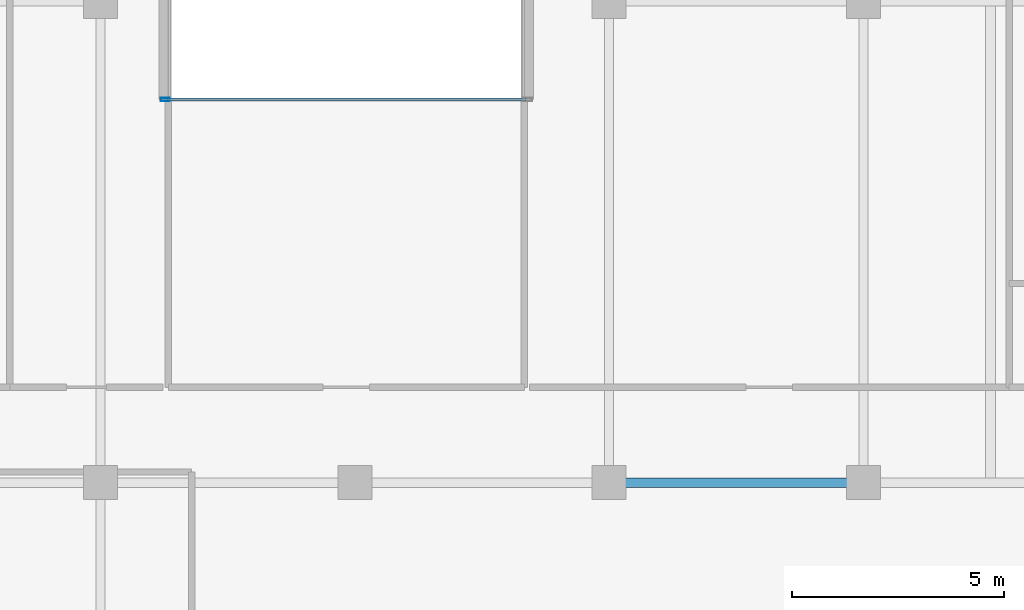
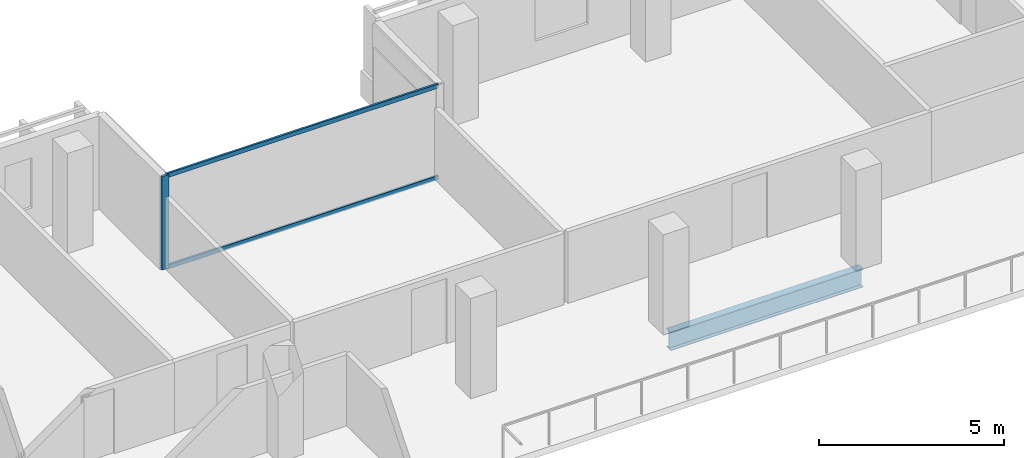
# One storey, part 6 of 22: 3 members, 1 beam, 1 element without a shape of its own.
"""IFC4 building model written with IfcOpenShell, lengths in metres."""

from ifc_helpers import new_model, si_unit, direction, frame, origin, origin_2d, place, context, subcontext, project, spatial, hollow_rectangle, i_section, extrude, material, layer, layer_set, material_profile, profile_set, type_object, element, aggregate, save


model = new_model("IFC4")

# Units and contexts
model_context = context("Model", 3, precision=1e-05, world=origin(), true_north=direction((0.0, 1.0)))
body_context = subcontext(model_context, "Body", "Model", "MODEL_VIEW")
ifc_project = project(units=[si_unit("LENGTHUNIT", "METRE"), si_unit("AREAUNIT", "SQUARE_METRE"), si_unit("VOLUMEUNIT", "CUBIC_METRE"), si_unit("PLANEANGLEUNIT", "RADIAN"), si_unit("MASSUNIT", "GRAM", prefix="KILO")], contexts=[model_context])

# Site, building, storey
site_placement = place(None, origin())
site = spatial("IfcSite", under=ifc_project, at=site_placement, CompositionType="ELEMENT")
building_placement = place(site_placement, origin())
building = spatial("IfcBuilding", under=site, at=building_placement, Name="Tanjung Sevakor Pilgrim Tower", CompositionType="ELEMENT")
storey_placement = place(building_placement, frame((0.0, 0.0, 195.030029296875)))
storey = spatial("IfcBuildingStorey", under=building, at=storey_placement, Name="L54", CompositionType="ELEMENT", Elevation=195.030029296875)

# Beam
ifc_material_1 = material(Name="Steel S355J2", Category="steel")
ifc_material_profile_1 = material_profile(ifc_material_1, i_section(OverallWidth=0.22900390625, OverallDepth=0.6123046875, WebThickness=0.011962890625, FlangeThickness=0.01953125, FilletRadius=0.0126953125, at=origin_2d()))
ifc_profile_set_1 = profile_set([ifc_material_profile_1], Name="Steel S355J2")
beam_type = type_object("IfcBeamType", Name="BM-B-G4-UB_610x229x125", PredefinedType="BEAM", material=ifc_profile_set_1)
beam_placement = place(storey_placement, frame((54.0, 42.60009765625, -0.526123046875), z_axis=(1.0, 0.0, 0.0), x_axis=(0.0, 1.0, 0.0)))
element("IfcBeam", 1, at=beam_placement, inside=storey, type_object=beam_type, Name="L54 Primary Floor Girder MAIN Y426-05", PredefinedType="BEAM", context=body_context, shape_type="SweptSolid", body=[
    extrude(i_section(OverallWidth=0.22900390625, OverallDepth=0.6123046875, WebThickness=0.011962890625, FlangeThickness=0.01953125, FilletRadius=0.0126953125, at=origin_2d()), origin(), (0.0, 0.0, 1.0), 6.0),
])

# Curtain wall, members
ifc_material_2 = material(Name="Aluminium 6063-T6 and Low-E Glass", Category="aluminium")
ifc_layer = layer(ifc_material_2, 0.179931640625)
ifc_layer_set = layer_set([ifc_layer], Name="CW-SYS-CLEFT")
curtain_wall_type = type_object("IfcCurtainWallType", Name="CW-SYS-CLEFT", PredefinedType="NOTDEFINED", material=ifc_layer_set)
curtain_wall_placement = place(storey_placement, origin())
curtain_wall = element("IfcCurtainWall", 2, at=curtain_wall_placement, inside=storey, type_object=curtain_wall_type, Name="L54 Curtain Wall CW-CLF-L54-10", PredefinedType="NOTDEFINED")
ifc_material_3 = material(Name="Aluminium 6063-T6", Category="aluminium")
ifc_material_profile_2 = material_profile(ifc_material_3, hollow_rectangle(XDim=0.074951171875, YDim=0.219970703125, WallThickness=0.0048828125, at=origin_2d()))
ifc_profile_set_2 = profile_set([ifc_material_profile_2], Name="Aluminium 6063-T6")
member_type_1 = type_object("IfcMemberType", Name="TYPE-CWM-2", PredefinedType="MULLION", material=ifc_profile_set_2)
member_1_placement = place(storey_placement, frame((43.527587890625, 51.639892578125, 0.0), z_axis=(0.0, 0.0, 1.0), x_axis=(0.0, -1.0, 0.0)))
member_1 = element("IfcMember", 3, at=member_1_placement, type_object=member_type_1, Name="CW-CLF mullion 2", PredefinedType="MULLION", context=body_context, shape_type="SweptSolid", body=[
    extrude(hollow_rectangle(XDim=0.074951171875, YDim=0.219970703125, WallThickness=0.0048828125, at=origin_2d()), origin(), (0.0, 0.0, 1.0), 3.080078125),
])
ifc_material_4 = material(Name="Aluminium 6063-T6", Category="aluminium")
ifc_material_profile_3 = material_profile(ifc_material_4, hollow_rectangle(XDim=0.06494140625, YDim=0.139892578125, WallThickness=0.00390625, at=origin_2d()))
ifc_profile_set_3 = profile_set([ifc_material_profile_3], Name="Aluminium 6063-T6")
member_type_2 = type_object("IfcMemberType", Name="TYPE-CWT-1", PredefinedType="USERDEFINED", material=ifc_profile_set_3)
member_2_placement = place(storey_placement, frame((52.034912109375, 51.639892578125, 0.032470703125), z_axis=(-1.0, 0.0, 0.0), x_axis=(0.0, -1.0, 0.0)))
member_2 = element("IfcMember", 4, at=member_2_placement, type_object=member_type_2, Name="CW-CLF transom 1.1", ObjectType="TRANSOM", PredefinedType="USERDEFINED", context=body_context, shape_type="SweptSolid", body=[
    extrude(hollow_rectangle(XDim=0.06494140625, YDim=0.139892578125, WallThickness=0.00390625, at=origin_2d()), origin(), (0.0, 0.0, 1.0), 8.469970703125),
])
member_3_placement = place(storey_placement, frame((52.034912109375, 51.639892578125, 3.04736328125), z_axis=(-1.0, 0.0, 0.0), x_axis=(0.0, -1.0, 0.0)))
member_3 = element("IfcMember", 5, at=member_3_placement, type_object=member_type_2, Name="CW-CLF transom 1.2", ObjectType="TRANSOM", PredefinedType="USERDEFINED", context=body_context, shape_type="SweptSolid", body=[
    extrude(hollow_rectangle(XDim=0.06494140625, YDim=0.139892578125, WallThickness=0.00390625, at=origin_2d()), origin(), (0.0, 0.0, 1.0), 8.469970703125),
])
aggregate(curtain_wall, [member_1, member_2, member_3])

save(model, "model.ifc")
